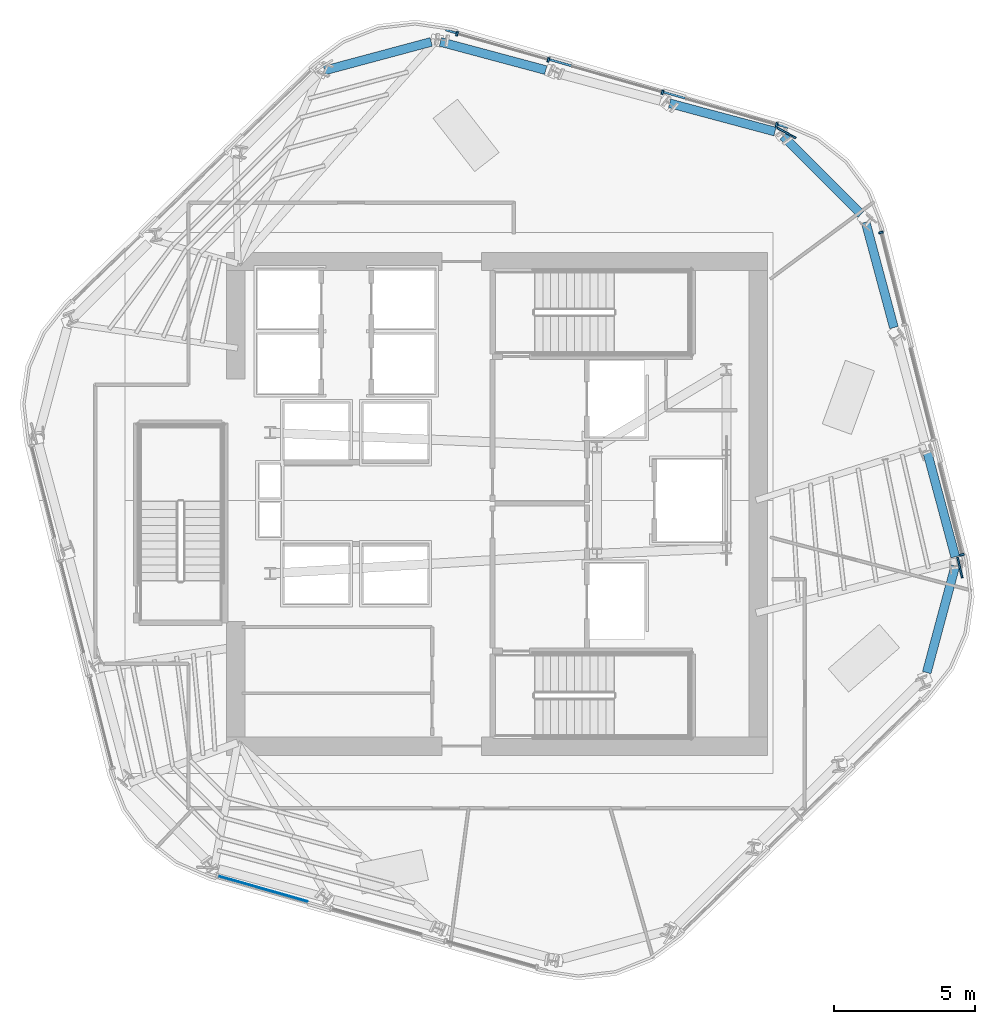
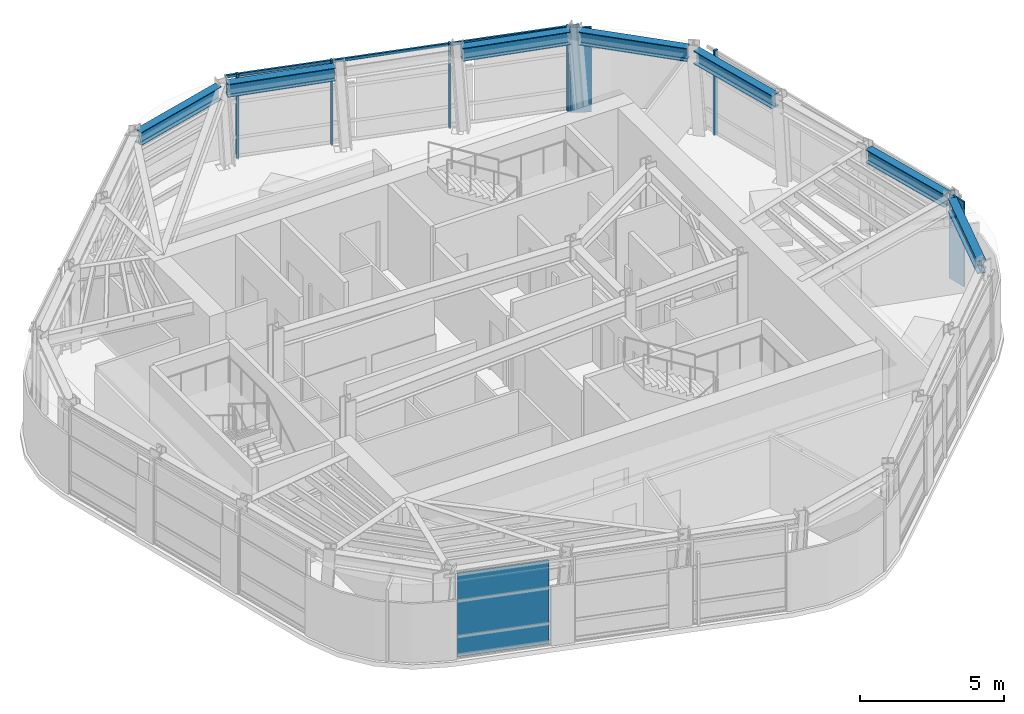
# One storey, part 5 of 14: 9 members, 7 beams, 1 plate, 3 elements without a shape of their own.
"""IFC4 building model written with IfcOpenShell, lengths in metres."""

from ifc_helpers import new_model, si_unit, direction, frame, origin, origin_2d, place, context, subcontext, project, spatial, rectangle, i_section, extrude, material, layer, layer_set, material_profile, profile_set, type_object, element, aggregate, save


model = new_model("IFC4")

# Units and contexts
model_context = context("Model", 3, precision=1e-05, world=origin(), true_north=direction((0.0, 1.0)))
body_context = subcontext(model_context, "Body", "Model", "MODEL_VIEW")
ifc_project = project(units=[si_unit("LENGTHUNIT", "METRE"), si_unit("AREAUNIT", "SQUARE_METRE"), si_unit("VOLUMEUNIT", "CUBIC_METRE"), si_unit("PLANEANGLEUNIT", "RADIAN"), si_unit("MASSUNIT", "GRAM", prefix="KILO")], contexts=[model_context])

# Site, building, storey
site_placement = place(None, origin())
site = spatial("IfcSite", under=ifc_project, at=site_placement, CompositionType="ELEMENT")
building_placement = place(site_placement, origin())
building = spatial("IfcBuilding", under=site, at=building_placement, Name="Valkerne Bourse Tower", CompositionType="ELEMENT")
storey_placement = place(building_placement, frame((0.0, 0.0, 213.199951171875)))
storey = spatial("IfcBuildingStorey", under=building, at=storey_placement, Name="L54", CompositionType="ELEMENT", Elevation=213.199951171875)

# Beams
ifc_material_1 = material(Name="Steel ASTM A992", Category="steel")
ifc_material_profile_1 = material_profile(ifc_material_1, i_section(OverallWidth=0.31494140625, OverallDepth=0.5537109375, WebThickness=0.0166015625, FlangeThickness=0.026123046875, FilletRadius=0.020263671875, at=origin_2d()), Name="W21X132")
ifc_profile_set_1 = profile_set([ifc_material_profile_1], Name="Steel ASTM A992")
beam_type = type_object("IfcBeamType", Name="BM-W21X132", PredefinedType="BEAM", material=ifc_profile_set_1)
beam_1_placement = place(storey_placement, frame((56.672119140625, 40.089599609375, 3.3232421875), z_axis=(-0.965921312732, 0.258835889338, 0.0), x_axis=(-0.258835889338, -0.965921312732, 0.0)))
element("IfcBeam", 1, at=beam_1_placement, inside=storey, type_object=beam_type, Name="L54 Hexagonal Spandrel Ring Beam 00", PredefinedType="BEAM", context=body_context, shape_type="SweptSolid", body=[
    extrude(i_section(OverallWidth=0.31494140625, OverallDepth=0.5537109375, WebThickness=0.0166015625, FlangeThickness=0.026123046875, FilletRadius=0.020263671875, at=origin_2d()), origin(), (0.0, 0.0, 1.0), 3.871826171875),
])
beam_2_placement = place(storey_placement, frame((48.535400390625, 42.27001953125, 3.3232421875), z_axis=(-0.965925536701, 0.258820125859, 0.0), x_axis=(-0.258820125859, -0.965925536701, 0.0)))
element("IfcBeam", 2, at=beam_2_placement, inside=storey, type_object=beam_type, Name="L54 Hexagonal Spandrel Ring Beam 02", PredefinedType="BEAM", context=body_context, shape_type="SweptSolid", body=[
    extrude(i_section(OverallWidth=0.31494140625, OverallDepth=0.5537109375, WebThickness=0.0166015625, FlangeThickness=0.026123046875, FilletRadius=0.020263671875, at=origin_2d()), origin(), (0.0, 0.0, 1.0), 3.8720703125),
])
beam_3_placement = place(storey_placement, frame((44.466796875, 43.272216796875, 3.3232421875), z_axis=(-0.965911311304, -0.258873209691, 0.0), x_axis=(0.258873209691, -0.965911311304, 0.0)))
element("IfcBeam", 3, at=beam_3_placement, inside=storey, type_object=beam_type, Name="L54 Hexagonal Spandrel Ring Beam 03", PredefinedType="BEAM", context=body_context, shape_type="SweptSolid", body=[
    extrude(i_section(OverallWidth=0.31494140625, OverallDepth=0.5537109375, WebThickness=0.0166015625, FlangeThickness=0.026123046875, FilletRadius=0.020263671875, at=origin_2d()), origin(), (0.0, 0.0, 1.0), 3.915771484375),
])
beam_4_placement = place(storey_placement, frame((62.05859375, 20.884521484375, 3.3232421875), z_axis=(0.258815037586, 0.965926900091, 0.0), x_axis=(-0.965926900091, 0.258815037586, 0.0)))
element("IfcBeam", 4, at=beam_4_placement, inside=storey, type_object=beam_type, Name="L54 Hexagonal Spandrel Ring Beam 19", PredefinedType="BEAM", context=body_context, shape_type="SweptSolid", body=[
    extrude(i_section(OverallWidth=0.31494140625, OverallDepth=0.5537109375, WebThickness=0.0166015625, FlangeThickness=0.026123046875, FilletRadius=0.020263671875, at=origin_2d()), origin(), (0.0, 0.0, 1.0), 3.91552734375),
])
for number, where, z_axis, x_axis, name in (
    (5, (63.072021484375, 24.9951171875, 3.3232421875), (-0.258820125859, 0.965925536701, 0.0), (-0.965925536701, -0.258820125859, 0.0), "L54 Hexagonal Spandrel Ring Beam 20"),
    (6, (60.891845703125, 33.132080078125, 3.3232421875), (-0.258820125859, 0.965925536701, 0.0), (-0.965925536701, -0.258820125859, 0.0), "L54 Hexagonal Spandrel Ring Beam 22"),
):
    element("IfcBeam", number, at=place(storey_placement, frame(where, z_axis=z_axis, x_axis=x_axis)), inside=storey, type_object=beam_type, Name=name, PredefinedType="BEAM", context=body_context, shape_type="SweptSolid", body=[
        extrude(i_section(OverallWidth=0.31494140625, OverallDepth=0.5537109375, WebThickness=0.0166015625, FlangeThickness=0.026123046875, FilletRadius=0.020263671875, at=origin_2d()), origin(), (0.0, 0.0, 1.0), 3.8720703125),
    ])
beam_5_placement = place(storey_placement, frame((59.725341796875, 37.156494140625, 3.3232421875), z_axis=(-0.707106781187, 0.707106781187, 0.0), x_axis=(-0.707106781187, -0.707106781187, 0.0)))
element("IfcBeam", 7, at=beam_5_placement, inside=storey, type_object=beam_type, Name="L54 Hexagonal Spandrel Ring Beam 23", PredefinedType="BEAM", context=body_context, shape_type="SweptSolid", body=[
    extrude(i_section(OverallWidth=0.31494140625, OverallDepth=0.5537109375, WebThickness=0.0166015625, FlangeThickness=0.026123046875, FilletRadius=0.020263671875, at=origin_2d()), origin(), (0.0, 0.0, 1.0), 3.915771484375),
])

# Curtain wall, members
ifc_material_2 = material(Name="Aluminium AA 6063-T6", Category="aluminium")
ifc_layer_1 = layer(ifc_material_2, 0.239990234375)
ifc_layer_set_1 = layer_set([ifc_layer_1], Name="Aluminium AA 6063-T6")
curtain_wall_type = type_object("IfcCurtainWallType", Name="CW-04", PredefinedType="NOTDEFINED", material=ifc_layer_set_1)
curtain_wall_1_placement = place(storey_placement, origin())
curtain_wall_1 = element("IfcCurtainWall", 8, at=curtain_wall_1_placement, inside=storey, type_object=curtain_wall_type, Name="L54 Hexagonal Stick Curtain Wall Face 1", PredefinedType="NOTDEFINED")
ifc_material_profile_2 = material_profile(ifc_material_2, rectangle(XDim=0.074951171875, YDim=0.159912109375, at=origin_2d()), Name="CWM-75X160")
ifc_profile_set_2 = profile_set([ifc_material_profile_2], Name="Aluminium AA 6063-T6")
member_type_1 = type_object("IfcMemberType", Name="CW-MUL-160X75", PredefinedType="MULLION", material=ifc_profile_set_2)
member_1_placement = place(storey_placement, frame((56.729248046875, 40.32861328125, 0.0), z_axis=(0.0, 0.0, 1.0), x_axis=(-0.961741355471, 0.273959057484, 0.0)))
member_1 = element("IfcMember", 9, at=member_1_placement, type_object=member_type_1, Name="CW-L54-F1 Jamb Mullion 00A", PredefinedType="MULLION", context=body_context, shape_type="SweptSolid", body=[
    extrude(rectangle(XDim=0.074951171875, YDim=0.159912109375, at=origin_2d()), origin(), (0.0, 0.0, 1.0), 3.60009765625),
])
member_2_placement = place(storey_placement, frame((52.678466796875, 41.482421875, 0.0), z_axis=(0.0, 0.0, 1.0), x_axis=(-0.961743137329, 0.27395280214, 0.0)))
member_2 = element("IfcMember", 10, at=member_2_placement, type_object=member_type_1, Name="CW-L54-F1 Jamb Mullion 01A", PredefinedType="MULLION", context=body_context, shape_type="SweptSolid", body=[
    extrude(rectangle(XDim=0.074951171875, YDim=0.159912109375, at=origin_2d()), origin(), (0.0, 0.0, 1.0), 3.60009765625),
])
member_3_placement = place(storey_placement, frame((48.627685546875, 42.63623046875, 0.0), z_axis=(0.0, 0.0, 1.0), x_axis=(-0.961741355471, 0.273959057484, 0.0)))
member_3 = element("IfcMember", 11, at=member_3_placement, type_object=member_type_1, Name="CW-L54-F1 Jamb Mullion 02A", PredefinedType="MULLION", context=body_context, shape_type="SweptSolid", body=[
    extrude(rectangle(XDim=0.074951171875, YDim=0.159912109375, at=origin_2d()), origin(), (0.0, 0.0, 1.0), 3.60009765625),
])
member_4_placement = place(storey_placement, frame((45.384765625, 43.56005859375, 0.0), z_axis=(0.0, 0.0, 1.0), x_axis=(-0.961741355471, 0.273959057484, 0.0)))
member_4 = element("IfcMember", 12, at=member_4_placement, type_object=member_type_1, Name="CW-L54-F1 Jamb Mullion 02B", PredefinedType="MULLION", context=body_context, shape_type="SweptSolid", body=[
    extrude(rectangle(XDim=0.074951171875, YDim=0.159912109375, at=origin_2d()), origin(), (0.0, 0.0, 1.0), 3.60009765625),
])

curtain_wall_2_placement = place(storey_placement, origin())
curtain_wall_2 = element("IfcCurtainWall", 13, at=curtain_wall_2_placement, inside=storey, type_object=curtain_wall_type, Name="L54 Hexagonal Stick Curtain Wall Face 6", PredefinedType="NOTDEFINED")
member_5_placement = place(storey_placement, frame((63.307373046875, 25.065185546875, 0.0), z_axis=(0.0, 0.0, 1.0), x_axis=(-0.243613627949, 0.96987236288, 0.0)))
member_5 = element("IfcMember", 14, at=member_5_placement, type_object=member_type_1, Name="CW-L54-F6 Jamb Mullion 00A", PredefinedType="MULLION", context=body_context, shape_type="SweptSolid", body=[
    extrude(rectangle(XDim=0.074951171875, YDim=0.159912109375, at=origin_2d()), origin(), (0.0, 0.0, 1.0), 3.60009765625),
])
member_6_placement = place(storey_placement, frame((60.433837890625, 36.505859375, 0.0), z_axis=(0.0, 0.0, 1.0), x_axis=(-0.243613627949, 0.96987236288, 0.0)))
member_6 = element("IfcMember", 15, at=member_6_placement, type_object=member_type_1, Name="CW-L54-F6 Jamb Mullion 02B", PredefinedType="MULLION", context=body_context, shape_type="SweptSolid", body=[
    extrude(rectangle(XDim=0.074951171875, YDim=0.159912109375, at=origin_2d()), origin(), (0.0, 0.0, 1.0), 3.60009765625),
])
aggregate(curtain_wall_2, [member_5, member_6])

# Member
ifc_material_profile_3 = material_profile(ifc_material_2, rectangle(XDim=0.074951171875, YDim=0.1201171875, at=origin_2d()), Name="CWT-75X120")
ifc_profile_set_3 = profile_set([ifc_material_profile_3], Name="Aluminium AA 6063-T6")
member_type_2 = type_object("IfcMemberType", Name="CW-TRN-120X75", PredefinedType="USERDEFINED", material=ifc_profile_set_3)
member_7_placement = place(storey_placement, frame((57.138671875, 40.232666015625, 3.52001953125), z_axis=(-0.961743098626, 0.273952938012, 0.0), x_axis=(-0.273952938012, -0.961743098626, 0.0)))
member_7 = element("IfcMember", 16, at=member_7_placement, type_object=member_type_2, Name="CW-L54-F1 Continuous Face Transom 4", ObjectType="TRANSOM", PredefinedType="USERDEFINED", context=body_context, shape_type="SweptSolid", body=[
    extrude(rectangle(XDim=0.074951171875, YDim=0.1201171875, at=origin_2d()), origin(), (0.0, 0.0, 1.0), 12.635986328125),
])

aggregate(curtain_wall_1, [member_7, member_1, member_2, member_3, member_4])

# Members
ifc_material_3 = material(Name="Bronze Anodised Aluminium AA 6063-T6", Category="aluminium")
ifc_material_profile_4 = material_profile(ifc_material_3, rectangle(XDim=0.06494140625, YDim=0.75, at=origin_2d()), Name="FIN-65X750")
ifc_profile_set_4 = profile_set([ifc_material_profile_4], Name="Bronze Anodised Aluminium AA 6063-T6")
member_type_3 = type_object("IfcMemberType", Name="FIN-SOLAR-650", PredefinedType="USERDEFINED", material=ifc_profile_set_4)
for number, where, z_axis, x_axis, name in (
    (17, (57.083984375, 40.040283203125, 0.004150390625), (0.0, 0.0, 1.0), (0.478670520843, 0.877994608455, 0.0), "L54 Bronze Anodised Solar Fin F1-00"),
    (18, (63.235107421875, 24.614013671875, 0.004150390625), (0.0, 0.0, 1.0), (0.97493461065, 0.222491584013, 0.0), "L54 Bronze Anodised Solar Fin F6-00"),
):
    element("IfcMember", number, at=place(storey_placement, frame(where, z_axis=z_axis, x_axis=x_axis)), inside=storey, type_object=member_type_3, Name=name, ObjectType="SOLAR_FIN", PredefinedType="USERDEFINED", context=body_context, shape_type="SweptSolid", body=[
        extrude(rectangle(XDim=0.06494140625, YDim=0.75, at=origin_2d()), origin(), (0.0, 0.0, 1.0), 3.591796875),
    ])

# Curtain wall, plate
curtain_wall_3_placement = place(storey_placement, origin())
curtain_wall_3 = element("IfcCurtainWall", 19, at=curtain_wall_3_placement, inside=storey, type_object=curtain_wall_type, Name="L54 Hexagonal Stick Curtain Wall Face 4", PredefinedType="NOTDEFINED")
ifc_material_4 = material(Name="Glass IGU Low-E Double Glazed", Category="glass")
ifc_layer_2 = layer(ifc_material_4, 0.031982421875)
ifc_layer_set_2 = layer_set([ifc_layer_2], Name="Glass IGU Low-E Double Glazed")
plate_type = type_object("IfcPlateType", Name="CW-PNL-IGU-32", PredefinedType="CURTAIN_PANEL", material=ifc_layer_set_2)
plate_placement = place(storey_placement, frame((38.4921875, 13.209716796875, 0.030029296875), z_axis=(0.0, 0.0, 1.0), x_axis=(0.961741355471, -0.273959057484, 0.0)))
plate = element("IfcPlate", 20, at=plate_placement, type_object=plate_type, Name="CW-L54-F4 Curtain Panel 00", PredefinedType="CURTAIN_PANEL", context=body_context, shape_type="SweptSolid", body=[
    extrude(rectangle(XDim=3.2919921875, YDim=0.031982421875, at=origin_2d()), origin(), (0.0, 0.0, 1.0), 3.5400390625),
])
aggregate(curtain_wall_3, [plate])

save(model, "model.ifc")
